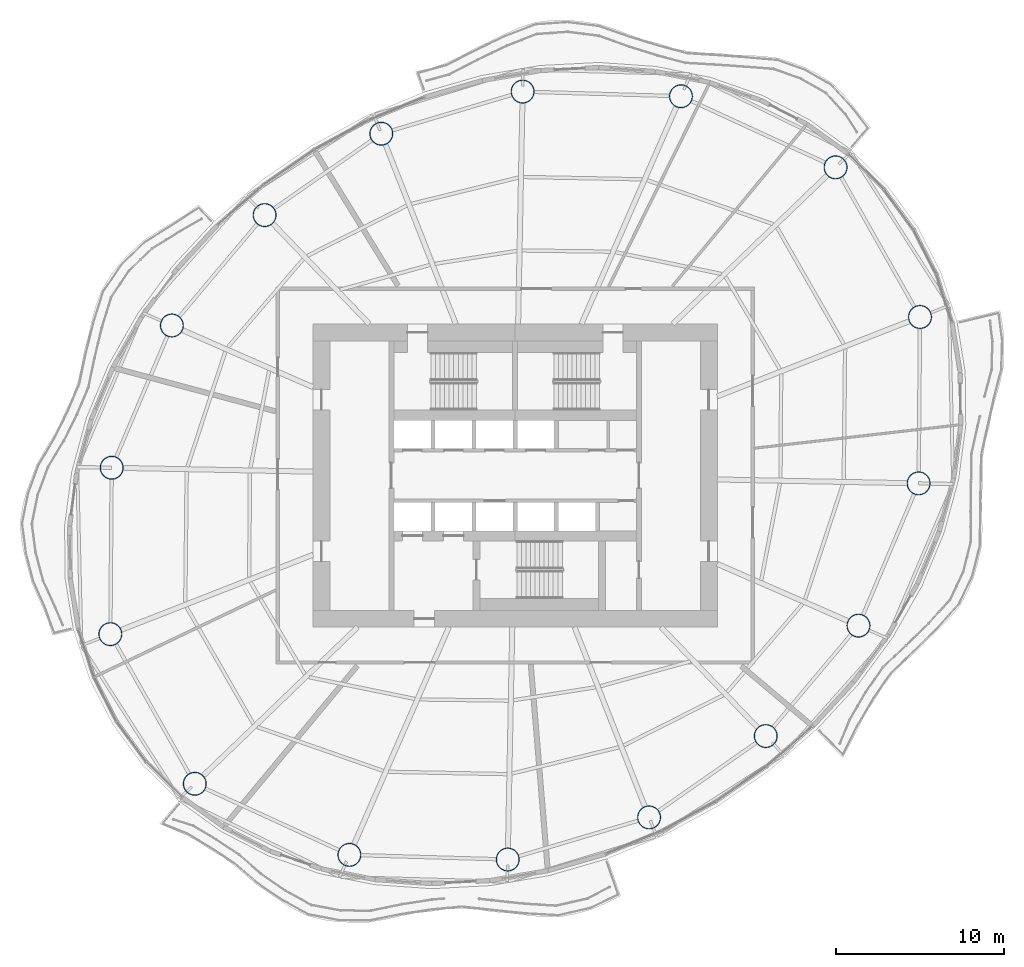
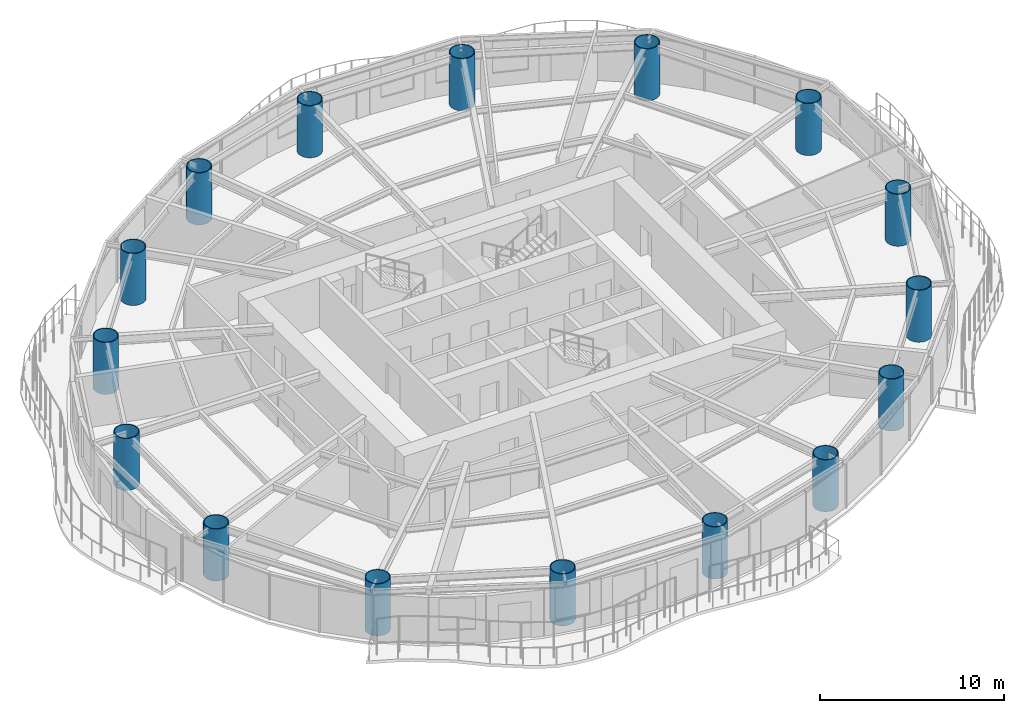
# One storey, part 1 of 15: 16 columns.
"""IFC4 building model written with IfcOpenShell, lengths in metres."""

from ifc_helpers import new_model, si_unit, direction, frame, origin, origin_2d, place, context, subcontext, project, spatial, hollow_circle, extrude, material, material_profile, profile_set, type_object, element, save


model = new_model("IFC4")

# Units and contexts
model_context = context("Model", 3, precision=1e-05, world=origin(), true_north=direction((0.0, 1.0)))
body_context = subcontext(model_context, "Body", "Model", "MODEL_VIEW")
ifc_project = project(units=[si_unit("LENGTHUNIT", "METRE"), si_unit("AREAUNIT", "SQUARE_METRE"), si_unit("VOLUMEUNIT", "CUBIC_METRE"), si_unit("PLANEANGLEUNIT", "RADIAN"), si_unit("MASSUNIT", "GRAM", prefix="KILO")], contexts=[model_context])

# Site, building, storey
site_placement = place(None, origin())
site = spatial("IfcSite", under=ifc_project, at=site_placement, CompositionType="ELEMENT")
building_placement = place(site_placement, origin())
building = spatial("IfcBuilding", under=site, at=building_placement, Name="Vermilion Reach Broadcast Tower", CompositionType="ELEMENT")
storey_placement = place(building_placement, frame((0.0, 0.0, 161.39990234375)))
storey = spatial("IfcBuildingStorey", under=building, at=storey_placement, Name="L38", CompositionType="ELEMENT", Elevation=161.39990234375)

# Columns
ifc_material = material(Name="Concrete C70 infill in steel S460NL tube", Category="concrete")
ifc_material_profile = material_profile(ifc_material, hollow_circle(Radius=0.699951171875, WallThickness=0.050048828125, at=origin_2d()), Name="Concrete C70 infill in steel S460NL tube CFT 1400x50")
ifc_profile_set = profile_set([ifc_material_profile], Name="Concrete C70 infill in steel S460NL tube")
column_type = type_object("IfcColumnType", Name="MC3 CFT 1400x50", PredefinedType="COLUMN", material=ifc_profile_set)
for number, where, z_axis, x_axis, name in (
    (1, (13.02587890625, 18.302734375, 0.0), (0.0, 0.0, 1.0), (1.0, 0.0, 0.0), "Mega-column MC3-01"),
    (2, (3.84521484375, 22.524169921875, 0.0), (0.0, 0.0, 1.0), (1.0, 0.0, 0.0), "Mega-column MC3-02"),
    (3, (-5.558349609375, 22.800048828125, 0.0), (0.0, 0.0, 1.0), (1.0, 0.0, 0.0), "Mega-column MC3-03"),
    (4, (-13.95166015625, 20.30078125, 0.0), (0.0, 0.0, 1.0), (1.0, 0.0, 0.0), "Mega-column MC3-04"),
    (5, (-20.879150390625, 15.46728515625, 0.0), (0.0, 0.0, 1.0), (1.0, 0.0, 0.0), "Mega-column MC3-05"),
    (6, (-26.38818359375, 8.91162109375, 0.0), (0.0, 0.0, 1.0), (1.0, 0.0, 0.0), "Mega-column MC3-06"),
    (7, (-29.95947265625, 0.464111328125, 0.0), (0.0, 0.0, 1.0), (1.0, 0.0, 0.0), "Mega-column MC3-07"),
    (8, (-30.04052734375, -9.41650390625, 0.0), (0.0, 0.0, 1.0), (1.0, 0.0, 0.0), "Mega-column MC3-08"),
    (9, (-25.02587890625, -18.302734375, 0.0), (0.0, 0.0, 1.0), (1.0, 0.0, 0.0), "Mega-column MC3-09"),
    (10, (-15.84521484375, -22.524169921875, 0.0), (0.0, 0.0, 1.0), (1.0, 0.0, 0.0), "Mega-column MC3-10"),
    (11, (-6.441650390625, -22.800048828125, 0.0), (0.0, 0.0, 1.0), (1.0, 0.0, 0.0), "Mega-column MC3-11"),
    (12, (1.95166015625, -20.30078125, 0.0), (0.0, 0.0, 1.0), (1.0, 0.0, 0.0), "Mega-column MC3-12"),
    (13, (8.879150390625, -15.46728515625, 0.0), (0.0, 0.0, 1.0), (1.0, 0.0, 0.0), "Mega-column MC3-13"),
    (14, (14.38818359375, -8.91162109375, 0.0), (0.0, 0.0, 1.0), (1.0, 0.0, 0.0), "Mega-column MC3-14"),
    (15, (17.95947265625, -0.464111328125, 0.0), (0.0, 0.0, 1.0), (1.0, 0.0, 0.0), "Mega-column MC3-15"),
    (16, (18.04052734375, 9.41650390625, 0.0), (0.0, 0.0, 1.0), (1.0, 0.0, 0.0), "Mega-column MC3-16"),
):
    element("IfcColumn", number, at=place(storey_placement, frame(where, z_axis=z_axis, x_axis=x_axis)), inside=storey, type_object=column_type, Name=name, PredefinedType="COLUMN", context=body_context, shape_type="SweptSolid", body=[
        extrude(hollow_circle(Radius=0.699951171875, WallThickness=0.050048828125, at=origin_2d()), origin(), (0.0, 0.0, 1.0), 3.4501953125),
    ])

save(model, "model.ifc")
